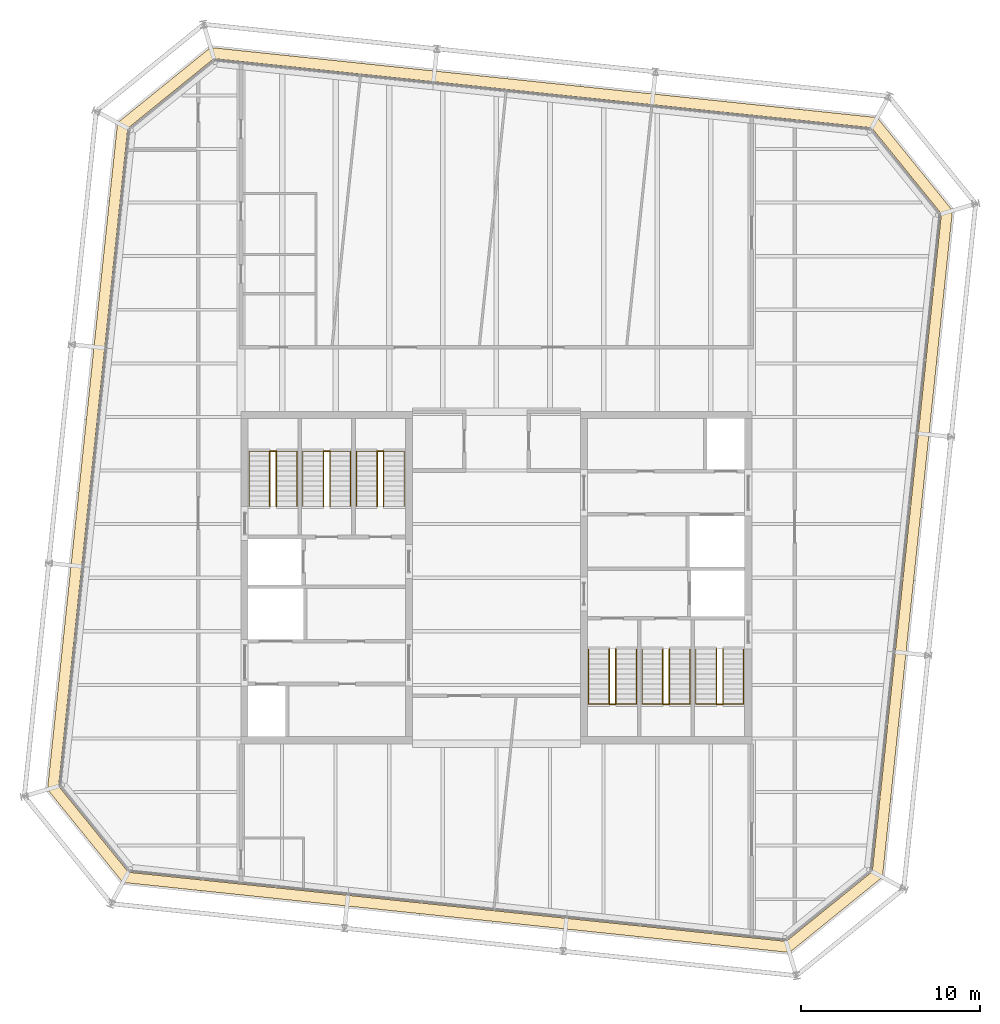
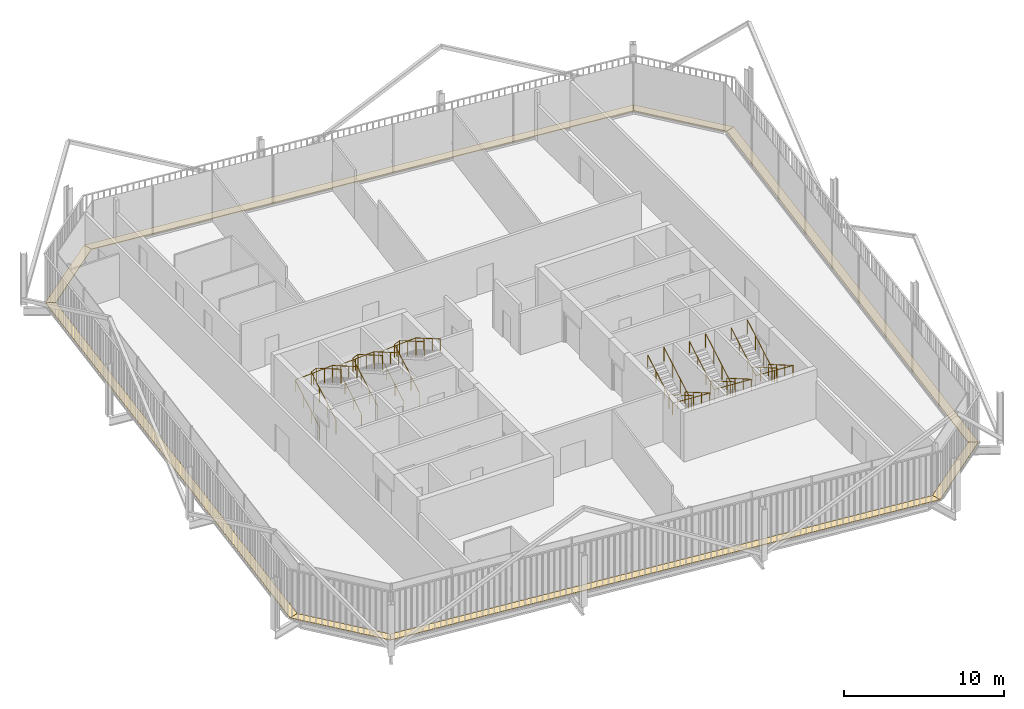
# One storey, part 21 of 21: 12 railings, 8 coverings.
"""IFC4 building model written with IfcOpenShell, lengths in metres."""

from ifc_helpers import new_model, si_unit, direction, frame, origin, origin_2d, place, context, subcontext, project, spatial, polyline, circle, outline, extrude, material, layer, layer_set, type_object, element, save


model = new_model("IFC4")

# Units and contexts
model_context = context("Model", 3, precision=1e-05, world=origin(), true_north=direction((0.0, 1.0)))
body_context = subcontext(model_context, "Body", "Model", "MODEL_VIEW")
ifc_project = project(units=[si_unit("LENGTHUNIT", "METRE"), si_unit("AREAUNIT", "SQUARE_METRE"), si_unit("VOLUMEUNIT", "CUBIC_METRE"), si_unit("PLANEANGLEUNIT", "RADIAN"), si_unit("MASSUNIT", "GRAM", prefix="KILO")], contexts=[model_context])

# Site, building, storey
site_placement = place(None, origin())
site = spatial("IfcSite", under=ifc_project, at=site_placement, CompositionType="ELEMENT")
building_placement = place(site_placement, origin())
building = spatial("IfcBuilding", under=site, at=building_placement, Name="Millrace Tower", CompositionType="ELEMENT")
storey_placement = place(building_placement, frame((0.0, 0.0, 334.300048828125)))
storey = spatial("IfcBuildingStorey", under=building, at=storey_placement, Name="L77", CompositionType="ELEMENT", Elevation=334.300048828125)

# Coverings
ifc_material_1 = material(Name="Steel ASTM A36", Category="steel")
ifc_layer = layer(ifc_material_1, 0.050048828125)
ifc_layer_set = layer_set([ifc_layer], Name="Steel ASTM A36")
covering_type = type_object("IfcCoveringType", Name="CAVITY CATWALK steel grating", PredefinedType="FLOORING", material=ifc_layer_set)
placement = place(storey_placement, frame((0.0, 0.0, 0.099853515625)))
element("IfcCovering", 1, at=placement, inside=storey, type_object=covering_type, Name="Cavity catwalk grating E-F01 L77 1", PredefinedType="FLOORING", context=body_context, shape_type="SweptSolid", body=[
    extrude(outline(polyline([(-25.13232421875, -11.8515625), (-20.914306640625, -17.060302734375), (-20.6044921875, -16.489501953125), (-24.509521484375, -11.6669921875), (-25.13232421875, -11.8515625)])), origin(), (0.0, 0.0, 1.0), 0.050048828125),
])
element("IfcCovering", 2, at=placement, inside=storey, type_object=covering_type, Name="Cavity catwalk grating E-F02 L77 1", PredefinedType="FLOORING", context=body_context, shape_type="SweptSolid", body=[
    extrude(outline(polyline([(-20.914306640625, -17.060302734375), (16.4013671875, -20.982177734375), (16.217041015625, -20.359619140625), (-20.6044921875, -16.489501953125), (-20.914306640625, -17.060302734375)])), origin(), (0.0, 0.0, 1.0), 0.050048828125),
])
element("IfcCovering", 3, at=placement, inside=storey, type_object=covering_type, Name="Cavity catwalk grating E-F03 L77 1", PredefinedType="FLOORING", context=body_context, shape_type="SweptSolid", body=[
    extrude(outline(polyline([(16.4013671875, -20.982177734375), (21.6103515625, -16.764404296875), (21.03955078125, -16.454345703125), (16.217041015625, -20.359619140625), (16.4013671875, -20.982177734375)])), origin(), (0.0, 0.0, 1.0), 0.050048828125),
])
element("IfcCovering", 4, at=placement, inside=storey, type_object=covering_type, Name="Cavity catwalk grating E-F04 L77 1", PredefinedType="FLOORING", context=body_context, shape_type="SweptSolid", body=[
    extrude(outline(polyline([(21.6103515625, -16.764404296875), (25.5322265625, 20.551513671875), (24.90966796875, 20.366943359375), (21.03955078125, -16.454345703125), (21.6103515625, -16.764404296875)])), origin(), (0.0, 0.0, 1.0), 0.050048828125),
])
element("IfcCovering", 5, at=placement, inside=storey, type_object=covering_type, Name="Cavity catwalk grating E-F05 L77 1", PredefinedType="FLOORING", context=body_context, shape_type="SweptSolid", body=[
    extrude(outline(polyline([(25.5322265625, 20.551513671875), (21.314208984375, 25.76025390625), (21.00439453125, 25.189453125), (24.90966796875, 20.366943359375), (25.5322265625, 20.551513671875)])), origin(), (0.0, 0.0, 1.0), 0.050048828125),
])
element("IfcCovering", 6, at=placement, inside=storey, type_object=covering_type, Name="Cavity catwalk grating E-F06 L77 1", PredefinedType="FLOORING", context=body_context, shape_type="SweptSolid", body=[
    extrude(outline(polyline([(21.314208984375, 25.76025390625), (-16.00146484375, 29.682373046875), (-15.817138671875, 29.0595703125), (21.00439453125, 25.189453125), (21.314208984375, 25.76025390625)])), origin(), (0.0, 0.0, 1.0), 0.050048828125),
])
element("IfcCovering", 7, at=placement, inside=storey, type_object=covering_type, Name="Cavity catwalk grating E-F07 L77 1", PredefinedType="FLOORING", context=body_context, shape_type="SweptSolid", body=[
    extrude(outline(polyline([(-16.00146484375, 29.682373046875), (-21.210205078125, 25.46435546875), (-20.639404296875, 25.154541015625), (-15.817138671875, 29.0595703125), (-16.00146484375, 29.682373046875)])), origin(), (0.0, 0.0, 1.0), 0.050048828125),
])
element("IfcCovering", 8, at=placement, inside=storey, type_object=covering_type, Name="Cavity catwalk grating E-F08 L77 1", PredefinedType="FLOORING", context=body_context, shape_type="SweptSolid", body=[
    extrude(outline(polyline([(-21.210205078125, 25.46435546875), (-25.13232421875, -11.8515625), (-24.509521484375, -11.6669921875), (-20.639404296875, 25.154541015625), (-21.210205078125, 25.46435546875)])), origin(), (0.0, 0.0, 1.0), 0.050048828125),
])

# Railings
ifc_material_2 = material(Name="Stainless steel ASTM A240 type 316", Category="steel")
railing_type_1 = type_object("IfcRailingType", Name="Stair guard 1100", PredefinedType="GUARDRAIL", material=ifc_material_2)
for number, where, name in (
    (9, (-12.679931640625, 4.0, 0.162353515625), "Stair guard 1 W L77"),
    (10, (-9.679931640625, 4.0, 0.162353515625), "Stair guard 2 W L77"),
    (11, (-6.679931640625, 4.0, 0.162353515625), "Stair guard 3 W L77"),
):
    element("IfcRailing", number, at=place(storey_placement, frame(where)), inside=storey, type_object=railing_type_1, Name=name, PredefinedType="GUARDRAIL", context=body_context, shape_type="SweptSolid", body=[
        extrude(circle(Radius=0.02392578125, at=origin_2d()), frame((0.0, 0.0, 1.076171875), z_axis=(0.0, 0.864890721111, 0.501960198159), x_axis=(-1.0, 0.0, 0.0)), (0.0, 0.0, 1.0), 3.561279296875),
        extrude(circle(Radius=0.02392578125, at=origin_2d()), frame((0.0, 3.080078125, 2.86376953125), z_axis=(0.911295775139, 0.0, 0.411752365158), x_axis=(0.0, 1.0, 0.0)), (0.0, 0.0, 1.0), 0.394775390625),
        extrude(circle(Radius=0.02392578125, at=origin_2d()), frame((0.35986328125, 3.080078125, 3.0263671875), z_axis=(0.0, -0.864920483161, 0.501908913857), x_axis=(1.0, 0.0, 0.0)), (0.0, 0.0, 1.0), 3.56103515625),
        extrude(circle(Radius=0.02099609375, at=origin_2d()), origin(), (0.0, 0.0, 1.0), 1.052001953125),
        extrude(circle(Radius=0.02099609375, at=origin_2d()), frame((0.0, 1.026611328125, 0.595947265625)), (0.0, 0.0, 1.0), 1.052001953125),
        extrude(circle(Radius=0.02099609375, at=origin_2d()), frame((0.0, 2.053466796875, 1.191650390625)), (0.0, 0.0, 1.0), 1.052001953125),
        extrude(circle(Radius=0.02099609375, at=origin_2d()), frame((0.0, 3.080078125, 1.78759765625)), (0.0, 0.0, 1.0), 1.052001953125),
        extrude(circle(Radius=0.02099609375, at=origin_2d()), frame((0.35986328125, 3.080078125, 1.9501953125)), (0.0, 0.0, 1.0), 1.052001953125),
        extrude(circle(Radius=0.02099609375, at=origin_2d()), frame((0.35986328125, 2.053466796875, 2.5458984375)), (0.0, 0.0, 1.0), 1.052001953125),
        extrude(circle(Radius=0.02099609375, at=origin_2d()), frame((0.35986328125, 1.026611328125, 3.141845703125)), (0.0, 0.0, 1.0), 1.052001953125),
        extrude(circle(Radius=0.02099609375, at=origin_2d()), frame((0.35986328125, 0.0, 3.737548828125)), (0.0, 0.0, 1.0), 1.052001953125),
    ])
for number, where, name in (
    (12, (12.679931640625, -4.0, 0.162353515625), "Stair guard 1 E L77"),
    (13, (9.679931640625, -4.0, 0.162353515625), "Stair guard 2 E L77"),
    (14, (6.679931640625, -4.0, 0.162353515625), "Stair guard 3 E L77"),
):
    element("IfcRailing", number, at=place(storey_placement, frame(where)), inside=storey, type_object=railing_type_1, Name=name, PredefinedType="GUARDRAIL", context=body_context, shape_type="SweptSolid", body=[
        extrude(circle(Radius=0.02392578125, at=origin_2d()), frame((0.0, 0.0, 1.076171875), z_axis=(0.0, -0.864890721111, 0.501960198159), x_axis=(1.0, 0.0, 0.0)), (0.0, 0.0, 1.0), 3.561279296875),
        extrude(circle(Radius=0.02392578125, at=origin_2d()), frame((0.0, -3.080078125, 2.86376953125), z_axis=(-0.911295775139, 0.0, 0.411752365158), x_axis=(0.0, -1.0, 0.0)), (0.0, 0.0, 1.0), 0.394775390625),
        extrude(circle(Radius=0.02392578125, at=origin_2d()), frame((-0.35986328125, -3.080078125, 3.0263671875), z_axis=(0.0, 0.864920483161, 0.501908913857), x_axis=(-1.0, 0.0, 0.0)), (0.0, 0.0, 1.0), 3.56103515625),
        extrude(circle(Radius=0.02099609375, at=origin_2d()), origin(), (0.0, 0.0, 1.0), 1.052001953125),
        extrude(circle(Radius=0.02099609375, at=origin_2d()), frame((0.0, -1.026611328125, 0.595947265625)), (0.0, 0.0, 1.0), 1.052001953125),
        extrude(circle(Radius=0.02099609375, at=origin_2d()), frame((0.0, -2.053466796875, 1.191650390625)), (0.0, 0.0, 1.0), 1.052001953125),
        extrude(circle(Radius=0.02099609375, at=origin_2d()), frame((0.0, -3.080078125, 1.78759765625)), (0.0, 0.0, 1.0), 1.052001953125),
        extrude(circle(Radius=0.02099609375, at=origin_2d()), frame((-0.35986328125, -3.080078125, 1.9501953125)), (0.0, 0.0, 1.0), 1.052001953125),
        extrude(circle(Radius=0.02099609375, at=origin_2d()), frame((-0.35986328125, -2.053466796875, 2.5458984375)), (0.0, 0.0, 1.0), 1.052001953125),
        extrude(circle(Radius=0.02099609375, at=origin_2d()), frame((-0.35986328125, -1.026611328125, 3.141845703125)), (0.0, 0.0, 1.0), 1.052001953125),
        extrude(circle(Radius=0.02099609375, at=origin_2d()), frame((-0.35986328125, 0.0, 3.737548828125)), (0.0, 0.0, 1.0), 1.052001953125),
    ])
ifc_material_3 = material(Name="Stainless steel ASTM A240 type 316", Category="steel")
railing_type_2 = type_object("IfcRailingType", Name="Stair handrail 900", PredefinedType="HANDRAIL", material=ifc_material_3)
railing_1_placement = place(storey_placement, frame((-13.840087890625, 4.0, 0.162353515625)))
element("IfcRailing", 15, at=railing_1_placement, inside=storey, type_object=railing_type_2, Name="Stair handrail 1 W L77", PredefinedType="HANDRAIL", context=body_context, shape_type="SweptSolid", body=[
    extrude(circle(Radius=0.02392578125, at=origin_2d()), frame((0.0, 0.0, 0.8759765625), z_axis=(0.0, 0.864890721111, 0.501960198159), x_axis=(-1.0, 0.0, 0.0)), (0.0, 0.0, 1.0), 3.561279296875),
    extrude(circle(Radius=0.02392578125, at=origin_2d()), frame((0.0, 3.080078125, 2.66357421875), z_axis=(0.998164834547, 0.0, 0.060555454528), x_axis=(0.0, 1.0, 0.0)), (0.0, 0.0, 1.0), 2.68505859375),
    extrude(circle(Radius=0.02392578125, at=origin_2d()), frame((2.68017578125, 3.080078125, 2.826171875), z_axis=(0.0, -0.864920483161, 0.501908913857), x_axis=(1.0, 0.0, 0.0)), (0.0, 0.0, 1.0), 3.56103515625),
    extrude(circle(Radius=0.02099609375, at=origin_2d()), origin(), (0.0, 0.0, 1.0), 0.851806640625),
    extrude(circle(Radius=0.02099609375, at=origin_2d()), frame((0.0, 1.026611328125, 0.595947265625)), (0.0, 0.0, 1.0), 0.851806640625),
    extrude(circle(Radius=0.02099609375, at=origin_2d()), frame((0.0, 2.053466796875, 1.191650390625)), (0.0, 0.0, 1.0), 0.851806640625),
    extrude(circle(Radius=0.02099609375, at=origin_2d()), frame((0.0, 3.080078125, 1.78759765625)), (0.0, 0.0, 1.0), 0.851806640625),
    extrude(circle(Radius=0.02099609375, at=origin_2d()), frame((1.340087890625, 3.080078125, 1.868896484375)), (0.0, 0.0, 1.0), 0.851806640625),
    extrude(circle(Radius=0.02099609375, at=origin_2d()), frame((2.68017578125, 3.080078125, 1.9501953125)), (0.0, 0.0, 1.0), 0.851806640625),
    extrude(circle(Radius=0.02099609375, at=origin_2d()), frame((2.68017578125, 2.053466796875, 2.5458984375)), (0.0, 0.0, 1.0), 0.851806640625),
    extrude(circle(Radius=0.02099609375, at=origin_2d()), frame((2.68017578125, 1.026611328125, 3.141845703125)), (0.0, 0.0, 1.0), 0.851806640625),
    extrude(circle(Radius=0.02099609375, at=origin_2d()), frame((2.68017578125, 0.0, 3.737548828125)), (0.0, 0.0, 1.0), 0.851806640625),
])
railing_2_placement = place(storey_placement, frame((-10.840087890625, 4.0, 0.162353515625)))
element("IfcRailing", 16, at=railing_2_placement, inside=storey, type_object=railing_type_2, Name="Stair handrail 2 W L77", PredefinedType="HANDRAIL", context=body_context, shape_type="SweptSolid", body=[
    extrude(circle(Radius=0.02392578125, at=origin_2d()), frame((0.0, 0.0, 0.8759765625), z_axis=(0.0, 0.864890721111, 0.501960198159), x_axis=(-1.0, 0.0, 0.0)), (0.0, 0.0, 1.0), 3.561279296875),
    extrude(circle(Radius=0.02392578125, at=origin_2d()), frame((0.0, 3.080078125, 2.66357421875), z_axis=(0.998164834547, 0.0, 0.060555454528), x_axis=(0.0, 1.0, 0.0)), (0.0, 0.0, 1.0), 2.68505859375),
    extrude(circle(Radius=0.02392578125, at=origin_2d()), frame((2.68017578125, 3.080078125, 2.826171875), z_axis=(0.0, -0.864920483161, 0.501908913857), x_axis=(1.0, 0.0, 0.0)), (0.0, 0.0, 1.0), 3.56103515625),
    extrude(circle(Radius=0.02099609375, at=origin_2d()), origin(), (0.0, 0.0, 1.0), 0.851806640625),
    extrude(circle(Radius=0.02099609375, at=origin_2d()), frame((0.0, 1.026611328125, 0.595947265625)), (0.0, 0.0, 1.0), 0.851806640625),
    extrude(circle(Radius=0.02099609375, at=origin_2d()), frame((0.0, 2.053466796875, 1.191650390625)), (0.0, 0.0, 1.0), 0.851806640625),
    extrude(circle(Radius=0.02099609375, at=origin_2d()), frame((0.0, 3.080078125, 1.78759765625)), (0.0, 0.0, 1.0), 0.851806640625),
    extrude(circle(Radius=0.02099609375, at=origin_2d()), frame((1.340087890625, 3.080078125, 1.868896484375)), (0.0, 0.0, 1.0), 0.851806640625),
    extrude(circle(Radius=0.02099609375, at=origin_2d()), frame((2.68017578125, 3.080078125, 1.9501953125)), (0.0, 0.0, 1.0), 0.851806640625),
    extrude(circle(Radius=0.02099609375, at=origin_2d()), frame((2.68017578125, 2.053466796875, 2.5458984375)), (0.0, 0.0, 1.0), 0.851806640625),
    extrude(circle(Radius=0.02099609375, at=origin_2d()), frame((2.68017578125, 1.026611328125, 3.141845703125)), (0.0, 0.0, 1.0), 0.851806640625),
    extrude(circle(Radius=0.02099609375, at=origin_2d()), frame((2.68017578125, 0.0, 3.737548828125)), (0.0, 0.0, 1.0), 0.851806640625),
])
railing_3_placement = place(storey_placement, frame((-7.840087890625, 4.0, 0.162353515625)))
element("IfcRailing", 17, at=railing_3_placement, inside=storey, type_object=railing_type_2, Name="Stair handrail 3 W L77", PredefinedType="HANDRAIL", context=body_context, shape_type="SweptSolid", body=[
    extrude(circle(Radius=0.02392578125, at=origin_2d()), frame((0.0, 0.0, 0.8759765625), z_axis=(0.0, 0.864890721111, 0.501960198159), x_axis=(-1.0, 0.0, 0.0)), (0.0, 0.0, 1.0), 3.561279296875),
    extrude(circle(Radius=0.02392578125, at=origin_2d()), frame((0.0, 3.080078125, 2.66357421875), z_axis=(0.998164834547, 0.0, 0.060555454528), x_axis=(0.0, 1.0, 0.0)), (0.0, 0.0, 1.0), 2.68505859375),
    extrude(circle(Radius=0.02392578125, at=origin_2d()), frame((2.68017578125, 3.080078125, 2.826171875), z_axis=(0.0, -0.864920483161, 0.501908913857), x_axis=(1.0, 0.0, 0.0)), (0.0, 0.0, 1.0), 3.56103515625),
    extrude(circle(Radius=0.02099609375, at=origin_2d()), origin(), (0.0, 0.0, 1.0), 0.851806640625),
    extrude(circle(Radius=0.02099609375, at=origin_2d()), frame((0.0, 1.026611328125, 0.595947265625)), (0.0, 0.0, 1.0), 0.851806640625),
    extrude(circle(Radius=0.02099609375, at=origin_2d()), frame((0.0, 2.053466796875, 1.191650390625)), (0.0, 0.0, 1.0), 0.851806640625),
    extrude(circle(Radius=0.02099609375, at=origin_2d()), frame((0.0, 3.080078125, 1.78759765625)), (0.0, 0.0, 1.0), 0.851806640625),
    extrude(circle(Radius=0.02099609375, at=origin_2d()), frame((1.340087890625, 3.080078125, 1.868896484375)), (0.0, 0.0, 1.0), 0.851806640625),
    extrude(circle(Radius=0.02099609375, at=origin_2d()), frame((2.68017578125, 3.080078125, 1.9501953125)), (0.0, 0.0, 1.0), 0.851806640625),
    extrude(circle(Radius=0.02099609375, at=origin_2d()), frame((2.68017578125, 2.053466796875, 2.5458984375)), (0.0, 0.0, 1.0), 0.851806640625),
    extrude(circle(Radius=0.02099609375, at=origin_2d()), frame((2.68017578125, 1.026611328125, 3.141845703125)), (0.0, 0.0, 1.0), 0.851806640625),
    extrude(circle(Radius=0.02099609375, at=origin_2d()), frame((2.68017578125, 0.0, 3.737548828125)), (0.0, 0.0, 1.0), 0.851806640625),
])
railing_4_placement = place(storey_placement, frame((13.840087890625, -4.0, 0.162353515625)))
element("IfcRailing", 18, at=railing_4_placement, inside=storey, type_object=railing_type_2, Name="Stair handrail 1 E L77", PredefinedType="HANDRAIL", context=body_context, shape_type="SweptSolid", body=[
    extrude(circle(Radius=0.02392578125, at=origin_2d()), frame((0.0, 0.0, 0.8759765625), z_axis=(0.0, -0.864890721111, 0.501960198159), x_axis=(1.0, 0.0, 0.0)), (0.0, 0.0, 1.0), 3.561279296875),
    extrude(circle(Radius=0.02392578125, at=origin_2d()), frame((0.0, -3.080078125, 2.66357421875), z_axis=(-0.998164834547, 0.0, 0.060555454528), x_axis=(0.0, -1.0, 0.0)), (0.0, 0.0, 1.0), 2.68505859375),
    extrude(circle(Radius=0.02392578125, at=origin_2d()), frame((-2.68017578125, -3.080078125, 2.826171875), z_axis=(0.0, 0.864920483161, 0.501908913857), x_axis=(-1.0, 0.0, 0.0)), (0.0, 0.0, 1.0), 3.56103515625),
    extrude(circle(Radius=0.02099609375, at=origin_2d()), origin(), (0.0, 0.0, 1.0), 0.851806640625),
    extrude(circle(Radius=0.02099609375, at=origin_2d()), frame((0.0, -1.026611328125, 0.595947265625)), (0.0, 0.0, 1.0), 0.851806640625),
    extrude(circle(Radius=0.02099609375, at=origin_2d()), frame((0.0, -2.053466796875, 1.191650390625)), (0.0, 0.0, 1.0), 0.851806640625),
    extrude(circle(Radius=0.02099609375, at=origin_2d()), frame((0.0, -3.080078125, 1.78759765625)), (0.0, 0.0, 1.0), 0.851806640625),
    extrude(circle(Radius=0.02099609375, at=origin_2d()), frame((-1.340087890625, -3.080078125, 1.868896484375)), (0.0, 0.0, 1.0), 0.851806640625),
    extrude(circle(Radius=0.02099609375, at=origin_2d()), frame((-2.68017578125, -3.080078125, 1.9501953125)), (0.0, 0.0, 1.0), 0.851806640625),
    extrude(circle(Radius=0.02099609375, at=origin_2d()), frame((-2.68017578125, -2.053466796875, 2.5458984375)), (0.0, 0.0, 1.0), 0.851806640625),
    extrude(circle(Radius=0.02099609375, at=origin_2d()), frame((-2.68017578125, -1.026611328125, 3.141845703125)), (0.0, 0.0, 1.0), 0.851806640625),
    extrude(circle(Radius=0.02099609375, at=origin_2d()), frame((-2.68017578125, 0.0, 3.737548828125)), (0.0, 0.0, 1.0), 0.851806640625),
])
railing_5_placement = place(storey_placement, frame((10.840087890625, -4.0, 0.162353515625)))
element("IfcRailing", 19, at=railing_5_placement, inside=storey, type_object=railing_type_2, Name="Stair handrail 2 E L77", PredefinedType="HANDRAIL", context=body_context, shape_type="SweptSolid", body=[
    extrude(circle(Radius=0.02392578125, at=origin_2d()), frame((0.0, 0.0, 0.8759765625), z_axis=(0.0, -0.864890721111, 0.501960198159), x_axis=(1.0, 0.0, 0.0)), (0.0, 0.0, 1.0), 3.561279296875),
    extrude(circle(Radius=0.02392578125, at=origin_2d()), frame((0.0, -3.080078125, 2.66357421875), z_axis=(-0.998164834547, 0.0, 0.060555454528), x_axis=(0.0, -1.0, 0.0)), (0.0, 0.0, 1.0), 2.68505859375),
    extrude(circle(Radius=0.02392578125, at=origin_2d()), frame((-2.68017578125, -3.080078125, 2.826171875), z_axis=(0.0, 0.864920483161, 0.501908913857), x_axis=(-1.0, 0.0, 0.0)), (0.0, 0.0, 1.0), 3.56103515625),
    extrude(circle(Radius=0.02099609375, at=origin_2d()), origin(), (0.0, 0.0, 1.0), 0.851806640625),
    extrude(circle(Radius=0.02099609375, at=origin_2d()), frame((0.0, -1.026611328125, 0.595947265625)), (0.0, 0.0, 1.0), 0.851806640625),
    extrude(circle(Radius=0.02099609375, at=origin_2d()), frame((0.0, -2.053466796875, 1.191650390625)), (0.0, 0.0, 1.0), 0.851806640625),
    extrude(circle(Radius=0.02099609375, at=origin_2d()), frame((0.0, -3.080078125, 1.78759765625)), (0.0, 0.0, 1.0), 0.851806640625),
    extrude(circle(Radius=0.02099609375, at=origin_2d()), frame((-1.340087890625, -3.080078125, 1.868896484375)), (0.0, 0.0, 1.0), 0.851806640625),
    extrude(circle(Radius=0.02099609375, at=origin_2d()), frame((-2.68017578125, -3.080078125, 1.9501953125)), (0.0, 0.0, 1.0), 0.851806640625),
    extrude(circle(Radius=0.02099609375, at=origin_2d()), frame((-2.68017578125, -2.053466796875, 2.5458984375)), (0.0, 0.0, 1.0), 0.851806640625),
    extrude(circle(Radius=0.02099609375, at=origin_2d()), frame((-2.68017578125, -1.026611328125, 3.141845703125)), (0.0, 0.0, 1.0), 0.851806640625),
    extrude(circle(Radius=0.02099609375, at=origin_2d()), frame((-2.68017578125, 0.0, 3.737548828125)), (0.0, 0.0, 1.0), 0.851806640625),
])
railing_6_placement = place(storey_placement, frame((7.840087890625, -4.0, 0.162353515625)))
element("IfcRailing", 20, at=railing_6_placement, inside=storey, type_object=railing_type_2, Name="Stair handrail 3 E L77", PredefinedType="HANDRAIL", context=body_context, shape_type="SweptSolid", body=[
    extrude(circle(Radius=0.02392578125, at=origin_2d()), frame((0.0, 0.0, 0.8759765625), z_axis=(0.0, -0.864890721111, 0.501960198159), x_axis=(1.0, 0.0, 0.0)), (0.0, 0.0, 1.0), 3.561279296875),
    extrude(circle(Radius=0.02392578125, at=origin_2d()), frame((0.0, -3.080078125, 2.66357421875), z_axis=(-0.998164834547, 0.0, 0.060555454528), x_axis=(0.0, -1.0, 0.0)), (0.0, 0.0, 1.0), 2.68505859375),
    extrude(circle(Radius=0.02392578125, at=origin_2d()), frame((-2.68017578125, -3.080078125, 2.826171875), z_axis=(0.0, 0.864920483161, 0.501908913857), x_axis=(-1.0, 0.0, 0.0)), (0.0, 0.0, 1.0), 3.56103515625),
    extrude(circle(Radius=0.02099609375, at=origin_2d()), origin(), (0.0, 0.0, 1.0), 0.851806640625),
    extrude(circle(Radius=0.02099609375, at=origin_2d()), frame((0.0, -1.026611328125, 0.595947265625)), (0.0, 0.0, 1.0), 0.851806640625),
    extrude(circle(Radius=0.02099609375, at=origin_2d()), frame((0.0, -2.053466796875, 1.191650390625)), (0.0, 0.0, 1.0), 0.851806640625),
    extrude(circle(Radius=0.02099609375, at=origin_2d()), frame((0.0, -3.080078125, 1.78759765625)), (0.0, 0.0, 1.0), 0.851806640625),
    extrude(circle(Radius=0.02099609375, at=origin_2d()), frame((-1.340087890625, -3.080078125, 1.868896484375)), (0.0, 0.0, 1.0), 0.851806640625),
    extrude(circle(Radius=0.02099609375, at=origin_2d()), frame((-2.68017578125, -3.080078125, 1.9501953125)), (0.0, 0.0, 1.0), 0.851806640625),
    extrude(circle(Radius=0.02099609375, at=origin_2d()), frame((-2.68017578125, -2.053466796875, 2.5458984375)), (0.0, 0.0, 1.0), 0.851806640625),
    extrude(circle(Radius=0.02099609375, at=origin_2d()), frame((-2.68017578125, -1.026611328125, 3.141845703125)), (0.0, 0.0, 1.0), 0.851806640625),
    extrude(circle(Radius=0.02099609375, at=origin_2d()), frame((-2.68017578125, 0.0, 3.737548828125)), (0.0, 0.0, 1.0), 0.851806640625),
])

save(model, "model.ifc")
